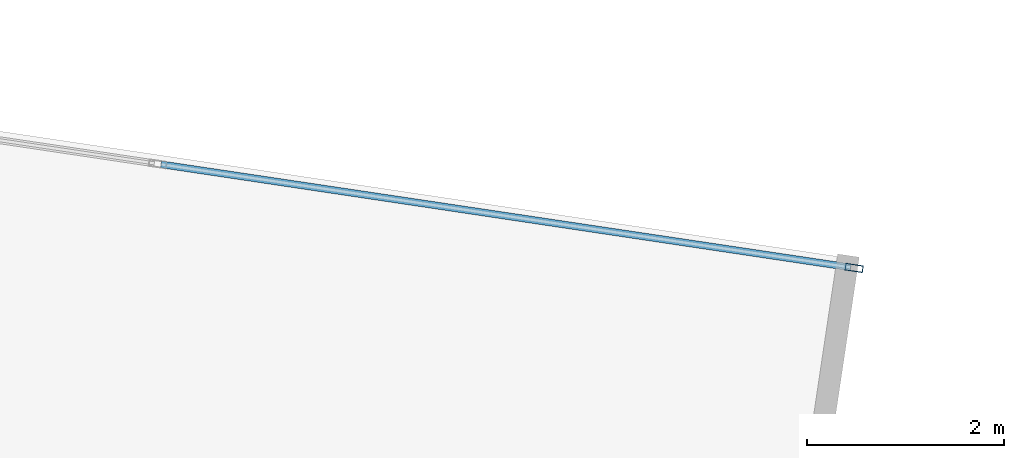
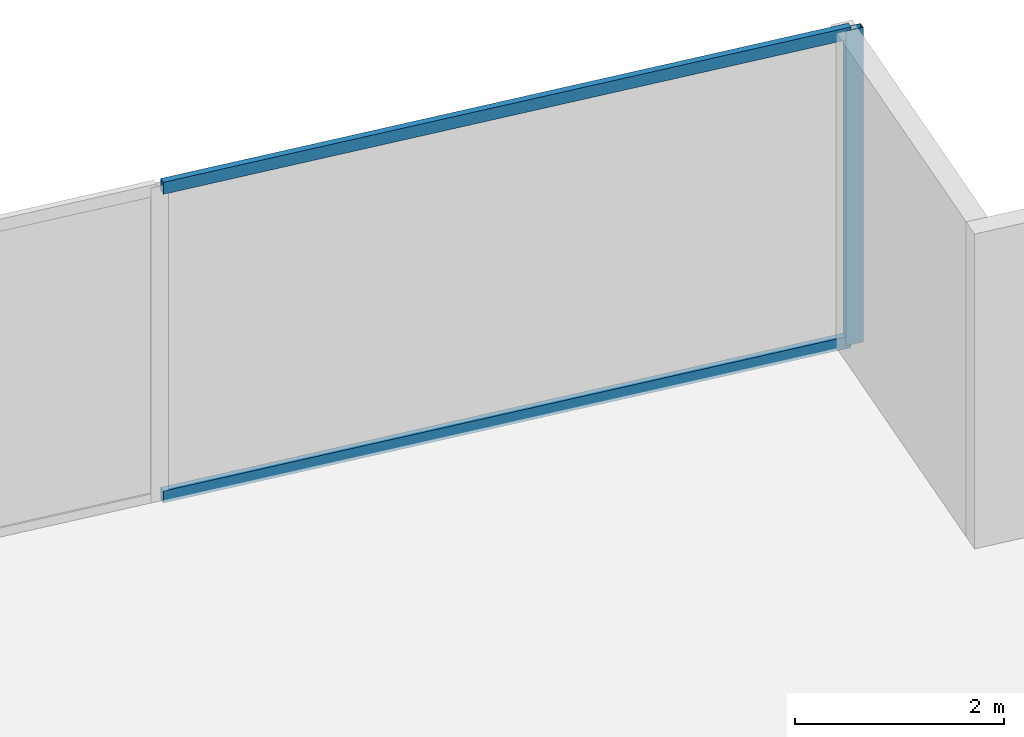
# One storey, part 23 of 29: 3 members, 1 element without a shape of its own.
"""IFC4 building model written with IfcOpenShell, lengths in metres."""

from ifc_helpers import new_model, si_unit, direction, frame, origin, origin_2d, place, context, subcontext, project, spatial, hollow_rectangle, extrude, source, transform, mapped, material, material_profile, profile_set, type_object, type_shapes, element, aggregate, save


model = new_model("IFC4")

# Units and contexts
model_context = context("Model", 3, precision=1e-05, world=origin(), true_north=direction((0.0, 1.0)))
body_context = subcontext(model_context, "Body", "Model", "MODEL_VIEW")
ifc_project = project(units=[si_unit("LENGTHUNIT", "METRE"), si_unit("AREAUNIT", "SQUARE_METRE"), si_unit("VOLUMEUNIT", "CUBIC_METRE"), si_unit("PLANEANGLEUNIT", "RADIAN"), si_unit("MASSUNIT", "GRAM", prefix="KILO")], contexts=[model_context])

# Site, building, storey
site_placement = place(None, origin())
site = spatial("IfcSite", under=ifc_project, at=site_placement, CompositionType="ELEMENT")
building_placement = place(site_placement, origin())
building = spatial("IfcBuilding", under=site, at=building_placement, Name="Krantzveldt Concourse Tower", CompositionType="ELEMENT")
storey_placement = place(building_placement, frame((0.0, 0.0, 72.39990234375)))
storey = spatial("IfcBuildingStorey", under=building, at=storey_placement, Name="L17", CompositionType="ELEMENT", Elevation=72.39990234375)

# Curtain wall, members
ifc_material = material(Name="Anodised aluminium 6063-T6", Category="aluminium")
curtain_wall_type = type_object("IfcCurtainWallType", Name="CW2", PredefinedType="USERDEFINED", material=ifc_material)
curtain_wall_placement = place(storey_placement, origin())
curtain_wall = element("IfcCurtainWall", 1, at=curtain_wall_placement, inside=storey, type_object=curtain_wall_type, Name="CW-L17-F10", ObjectType="UNITISED CURTAIN WALL", PredefinedType="USERDEFINED")
ifc_material_profile_1 = material_profile(ifc_material, hollow_rectangle(XDim=0.070068359375, YDim=0.139892578125, WallThickness=0.0048828125, at=origin_2d()), Name="Anodised aluminium 6063-T6", Category="aluminium")
ifc_profile_set_1 = profile_set([ifc_material_profile_1], Name="Anodised aluminium 6063-T6 - ALU-TRAN 140x70x5")
member_type_1 = type_object("IfcMemberType", Name="CW-TRN-150", PredefinedType="USERDEFINED", material=ifc_profile_set_1)
shared_shape_1 = source(origin(), body_context, "Body", "SweptSolid", [
    extrude(hollow_rectangle(XDim=0.070068359375, YDim=0.139892578125, WallThickness=0.0048828125, at=origin_2d()), origin(), (0.0, 0.0, 1.0), 7.061767578125),
])
type_shapes(member_type_1, [shared_shape_1])
member_1_placement = place(storey_placement, frame((60.87646484375, 48.1689453125, 0.03515625), z_axis=(-0.989017605897, 0.147797751082, 0.0), x_axis=(-0.147797751082, -0.989017605897, 0.0)))
member_1 = element("IfcMember", 2, at=member_1_placement, type_object=member_type_1, Name="CW-Z12 transom 1.1", ObjectType="TRANSOM", PredefinedType="USERDEFINED", context=body_context, shape_type="MappedRepresentation", body=[
    mapped(shared_shape_1, transform((0.0, 0.0, 0.0), x_axis=(1.0, 0.0, 0.0), y_axis=(0.0, 1.0, 0.0), z_axis=(0.0, 0.0, 1.0), scale=1.0)),
])
member_2_placement = place(storey_placement, frame((60.87646484375, 48.1689453125, 3.635009765625), z_axis=(-0.989017605897, 0.147797751082, 0.0), x_axis=(-0.147797751082, -0.989017605897, 0.0)))
member_2 = element("IfcMember", 3, at=member_2_placement, type_object=member_type_1, Name="CW-Z12 transom 1.2", ObjectType="TRANSOM", PredefinedType="USERDEFINED", context=body_context, shape_type="MappedRepresentation", body=[
    mapped(shared_shape_1, transform((0.0, 0.0, 0.0), x_axis=(1.0, 0.0, 0.0), y_axis=(0.0, 1.0, 0.0), z_axis=(0.0, 0.0, 1.0), scale=1.0)),
])
ifc_material_profile_2 = material_profile(ifc_material, hollow_rectangle(XDim=0.070068359375, YDim=0.179931640625, WallThickness=0.0048828125, at=origin_2d()), Name="Anodised aluminium 6063-T6", Category="aluminium")
ifc_profile_set_2 = profile_set([ifc_material_profile_2], Name="Anodised aluminium 6063-T6 - ALU-MULL 180x70x5")
member_type_2 = type_object("IfcMemberType", Name="CW-MUL-180", PredefinedType="MULLION", material=ifc_profile_set_2)
shared_shape_2 = source(origin(), body_context, "Body", "SweptSolid", [
    extrude(hollow_rectangle(XDim=0.070068359375, YDim=0.179931640625, WallThickness=0.0048828125, at=origin_2d()), origin(), (0.0, 0.0, 1.0), 3.670166015625),
])
type_shapes(member_type_2, [shared_shape_2])
member_3_placement = place(storey_placement, frame((60.9111328125, 48.16357421875, 0.0), z_axis=(0.0, 0.0, 1.0), x_axis=(-0.147809505412, -0.989015849271, 0.0)))
member_3 = element("IfcMember", 4, at=member_3_placement, type_object=member_type_2, Name="CW-Z12 mullion 1", PredefinedType="MULLION", context=body_context, shape_type="MappedRepresentation", body=[
    mapped(shared_shape_2, transform((0.0, 0.0, 0.0), x_axis=(1.0, 0.0, 0.0), y_axis=(0.0, 1.0, 0.0), z_axis=(0.0, 0.0, 1.0), scale=1.0)),
])
aggregate(curtain_wall, [member_3, member_1, member_2])

save(model, "model.ifc")
